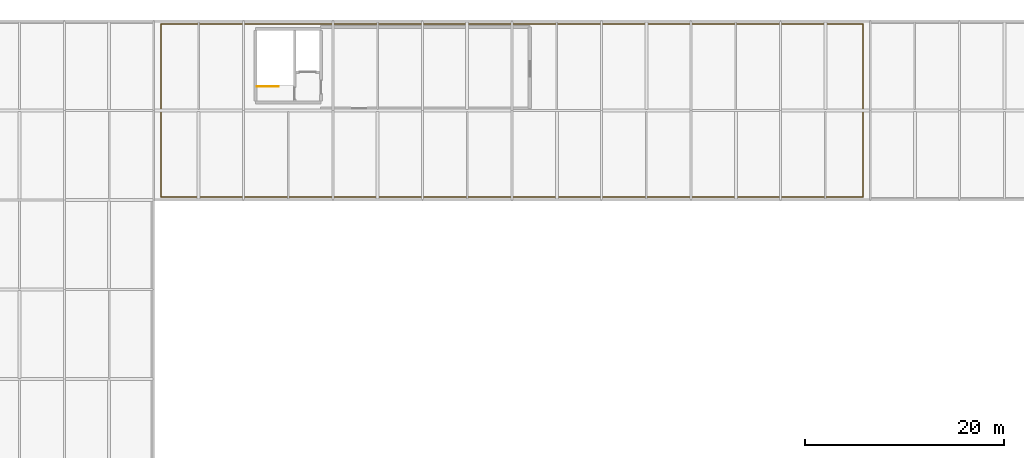
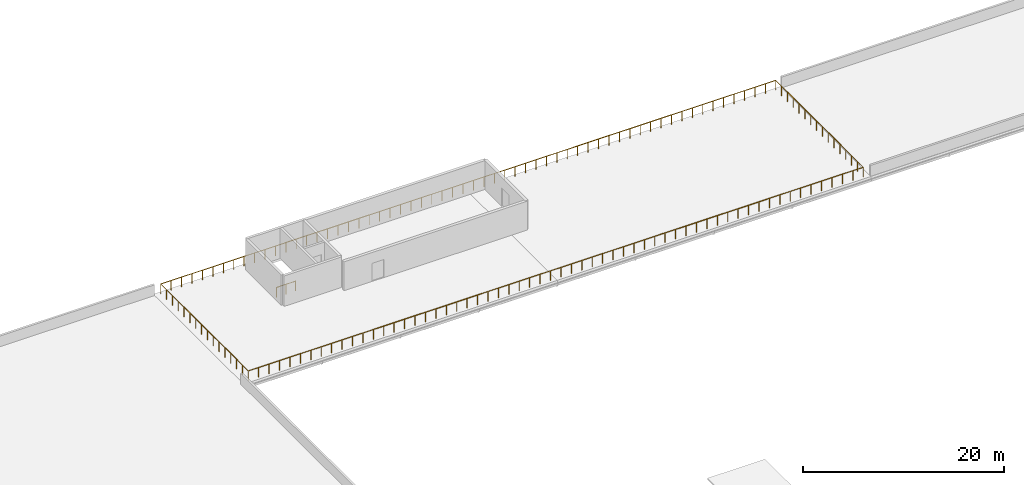
# One storey, part 18 of 18: 2 railings.
"""IFC4 building model written with IfcOpenShell, lengths in metres."""

from ifc_helpers import new_model, si_unit, direction, frame, origin, origin_2d, place, context, subcontext, project, spatial, circle, extrude, material, type_object, element, save


model = new_model("IFC4")

# Units and contexts
model_context = context("Model", 3, precision=1e-05, world=origin(), true_north=direction((0.0, 1.0)))
body_context = subcontext(model_context, "Body", "Model", "MODEL_VIEW")
ifc_project = project(units=[si_unit("LENGTHUNIT", "METRE"), si_unit("AREAUNIT", "SQUARE_METRE"), si_unit("VOLUMEUNIT", "CUBIC_METRE"), si_unit("PLANEANGLEUNIT", "RADIAN"), si_unit("MASSUNIT", "GRAM", prefix="KILO")], contexts=[model_context])

# Site, building, storey
site_placement = place(None, origin())
site = spatial("IfcSite", under=ifc_project, at=site_placement, CompositionType="ELEMENT")
building_placement = place(site_placement, origin())
building = spatial("IfcBuilding", under=site, at=building_placement, Name="Kildeholm Park Wholesale Market", CompositionType="ELEMENT")
storey_placement = place(building_placement, frame((0.0, 0.0, 13.5)))
storey = spatial("IfcBuildingStorey", under=building, at=storey_placement, Name="L03", CompositionType="ELEMENT", Elevation=13.5)

# Railings
ifc_material_1 = material(Name="Painted steel and laminated glass balustrade", Category="steel")
railing_type_1 = type_object("IfcRailingType", Name="Interior gallery and stairwell guard GR-IN1 1200 mm", PredefinedType="GUARDRAIL", material=ifc_material_1)
railing_1_placement = place(storey_placement, frame((46.360107421875, 164.429931640625, 0.0)))
element("IfcRailing", 1, at=railing_1_placement, inside=storey, type_object=railing_type_1, Name="Stair C02 upper floor well guard L03 RLG-0039", PredefinedType="GUARDRAIL", context=body_context, shape_type="SweptSolid", body=[
    extrude(circle(Radius=0.02392578125, at=origin_2d()), frame((0.0, 0.0, 1.17578125), z_axis=(1.0, 0.0, 0.0), x_axis=(0.0, 1.0, 0.0)), (0.0, 0.0, 1.0), 2.18994140625),
    extrude(circle(Radius=0.02099609375, at=origin_2d()), origin(), (0.0, 0.0, 1.0), 1.15185546875),
    extrude(circle(Radius=0.02099609375, at=origin_2d()), frame((1.094970703125, 0.0, 0.0)), (0.0, 0.0, 1.0), 1.15185546875),
    extrude(circle(Radius=0.02099609375, at=origin_2d()), frame((2.18994140625, 0.0, 0.0)), (0.0, 0.0, 1.0), 1.15185546875),
])
ifc_material_2 = material(Name="Painted galvanized steel and stainless-steel balustrade", Category="steel")
railing_type_2 = type_object("IfcRailingType", Name="Terrace and roof-garden balustrade GR-EX1 1200 mm", PredefinedType="GUARDRAIL", material=ifc_material_2)
railing_2_placement = place(storey_placement, frame((36.699951171875, 153.300048828125, 0.0)))
element("IfcRailing", 2, at=railing_2_placement, inside=storey, type_object=railing_type_2, Name="Cold-block L03 planted roof garden balustrade RLG-0003", PredefinedType="GUARDRAIL", context=body_context, shape_type="SweptSolid", body=[
    extrude(circle(Radius=0.02392578125, at=origin_2d()), frame((0.0, 0.0, 1.17578125), z_axis=(1.0, 0.0, 0.0), x_axis=(0.0, 1.0, 0.0)), (0.0, 0.0, 1.0), 70.60009765625),
    extrude(circle(Radius=0.02392578125, at=origin_2d()), frame((70.60009765625, 0.0, 1.17578125), z_axis=(0.0, 1.0, 0.0), x_axis=(-1.0, 0.0, 0.0)), (0.0, 0.0, 1.0), 17.39990234375),
    extrude(circle(Radius=0.02392578125, at=origin_2d()), frame((70.60009765625, 17.39990234375, 1.17578125), z_axis=(-1.0, 0.0, 0.0), x_axis=(0.0, -1.0, 0.0)), (0.0, 0.0, 1.0), 70.60009765625),
    extrude(circle(Radius=0.02392578125, at=origin_2d()), frame((0.0, 17.39990234375, 1.17578125), z_axis=(0.0, -1.0, 0.0), x_axis=(1.0, 0.0, 0.0)), (0.0, 0.0, 1.0), 17.39990234375),
    extrude(circle(Radius=0.02099609375, at=origin_2d()), origin(), (0.0, 0.0, 1.0), 1.15185546875),
    extrude(circle(Radius=0.02099609375, at=origin_2d()), frame((1.196533203125, 0.0, 0.0)), (0.0, 0.0, 1.0), 1.15185546875),
    extrude(circle(Radius=0.02099609375, at=origin_2d()), frame((2.393310546875, 0.0, 0.0)), (0.0, 0.0, 1.0), 1.15185546875),
    extrude(circle(Radius=0.02099609375, at=origin_2d()), frame((3.58984375, 0.0, 0.0)), (0.0, 0.0, 1.0), 1.15185546875),
    extrude(circle(Radius=0.02099609375, at=origin_2d()), frame((4.786376953125, 0.0, 0.0)), (0.0, 0.0, 1.0), 1.15185546875),
    extrude(circle(Radius=0.02099609375, at=origin_2d()), frame((5.983154296875, 0.0, 0.0)), (0.0, 0.0, 1.0), 1.15185546875),
    extrude(circle(Radius=0.02099609375, at=origin_2d()), frame((7.1796875, 0.0, 0.0)), (0.0, 0.0, 1.0), 1.15185546875),
    extrude(circle(Radius=0.02099609375, at=origin_2d()), frame((8.376220703125, 0.0, 0.0)), (0.0, 0.0, 1.0), 1.15185546875),
    extrude(circle(Radius=0.02099609375, at=origin_2d()), frame((9.572998046875, 0.0, 0.0)), (0.0, 0.0, 1.0), 1.15185546875),
    extrude(circle(Radius=0.02099609375, at=origin_2d()), frame((10.76953125, 0.0, 0.0)), (0.0, 0.0, 1.0), 1.15185546875),
    extrude(circle(Radius=0.02099609375, at=origin_2d()), frame((11.966064453125, 0.0, 0.0)), (0.0, 0.0, 1.0), 1.15185546875),
    extrude(circle(Radius=0.02099609375, at=origin_2d()), frame((13.162841796875, 0.0, 0.0)), (0.0, 0.0, 1.0), 1.15185546875),
    extrude(circle(Radius=0.02099609375, at=origin_2d()), frame((14.359375, 0.0, 0.0)), (0.0, 0.0, 1.0), 1.15185546875),
    extrude(circle(Radius=0.02099609375, at=origin_2d()), frame((15.555908203125, 0.0, 0.0)), (0.0, 0.0, 1.0), 1.15185546875),
    extrude(circle(Radius=0.02099609375, at=origin_2d()), frame((16.752685546875, 0.0, 0.0)), (0.0, 0.0, 1.0), 1.15185546875),
    extrude(circle(Radius=0.02099609375, at=origin_2d()), frame((17.94921875, 0.0, 0.0)), (0.0, 0.0, 1.0), 1.15185546875),
    extrude(circle(Radius=0.02099609375, at=origin_2d()), frame((19.145751953125, 0.0, 0.0)), (0.0, 0.0, 1.0), 1.15185546875),
    extrude(circle(Radius=0.02099609375, at=origin_2d()), frame((20.34228515625, 0.0, 0.0)), (0.0, 0.0, 1.0), 1.15185546875),
    extrude(circle(Radius=0.02099609375, at=origin_2d()), frame((21.5390625, 0.0, 0.0)), (0.0, 0.0, 1.0), 1.15185546875),
    extrude(circle(Radius=0.02099609375, at=origin_2d()), frame((22.735595703125, 0.0, 0.0)), (0.0, 0.0, 1.0), 1.15185546875),
    extrude(circle(Radius=0.02099609375, at=origin_2d()), frame((23.93212890625, 0.0, 0.0)), (0.0, 0.0, 1.0), 1.15185546875),
    extrude(circle(Radius=0.02099609375, at=origin_2d()), frame((25.12890625, 0.0, 0.0)), (0.0, 0.0, 1.0), 1.15185546875),
    extrude(circle(Radius=0.02099609375, at=origin_2d()), frame((26.325439453125, 0.0, 0.0)), (0.0, 0.0, 1.0), 1.15185546875),
    extrude(circle(Radius=0.02099609375, at=origin_2d()), frame((27.52197265625, 0.0, 0.0)), (0.0, 0.0, 1.0), 1.15185546875),
    extrude(circle(Radius=0.02099609375, at=origin_2d()), frame((28.71875, 0.0, 0.0)), (0.0, 0.0, 1.0), 1.15185546875),
    extrude(circle(Radius=0.02099609375, at=origin_2d()), frame((29.915283203125, 0.0, 0.0)), (0.0, 0.0, 1.0), 1.15185546875),
    extrude(circle(Radius=0.02099609375, at=origin_2d()), frame((31.11181640625, 0.0, 0.0)), (0.0, 0.0, 1.0), 1.15185546875),
    extrude(circle(Radius=0.02099609375, at=origin_2d()), frame((32.30859375, 0.0, 0.0)), (0.0, 0.0, 1.0), 1.15185546875),
    extrude(circle(Radius=0.02099609375, at=origin_2d()), frame((33.505126953125, 0.0, 0.0)), (0.0, 0.0, 1.0), 1.15185546875),
    extrude(circle(Radius=0.02099609375, at=origin_2d()), frame((34.70166015625, 0.0, 0.0)), (0.0, 0.0, 1.0), 1.15185546875),
    extrude(circle(Radius=0.02099609375, at=origin_2d()), frame((35.8984375, 0.0, 0.0)), (0.0, 0.0, 1.0), 1.15185546875),
    extrude(circle(Radius=0.02099609375, at=origin_2d()), frame((37.094970703125, 0.0, 0.0)), (0.0, 0.0, 1.0), 1.15185546875),
    extrude(circle(Radius=0.02099609375, at=origin_2d()), frame((38.29150390625, 0.0, 0.0)), (0.0, 0.0, 1.0), 1.15185546875),
    extrude(circle(Radius=0.02099609375, at=origin_2d()), frame((39.48828125, 0.0, 0.0)), (0.0, 0.0, 1.0), 1.15185546875),
    extrude(circle(Radius=0.02099609375, at=origin_2d()), frame((40.684814453125, 0.0, 0.0)), (0.0, 0.0, 1.0), 1.15185546875),
    extrude(circle(Radius=0.02099609375, at=origin_2d()), frame((41.88134765625, 0.0, 0.0)), (0.0, 0.0, 1.0), 1.15185546875),
    extrude(circle(Radius=0.02099609375, at=origin_2d()), frame((43.078125, 0.0, 0.0)), (0.0, 0.0, 1.0), 1.15185546875),
    extrude(circle(Radius=0.02099609375, at=origin_2d()), frame((44.274658203125, 0.0, 0.0)), (0.0, 0.0, 1.0), 1.15185546875),
    extrude(circle(Radius=0.02099609375, at=origin_2d()), frame((45.47119140625, 0.0, 0.0)), (0.0, 0.0, 1.0), 1.15185546875),
    extrude(circle(Radius=0.02099609375, at=origin_2d()), frame((46.66796875, 0.0, 0.0)), (0.0, 0.0, 1.0), 1.15185546875),
    extrude(circle(Radius=0.02099609375, at=origin_2d()), frame((47.864501953125, 0.0, 0.0)), (0.0, 0.0, 1.0), 1.15185546875),
    extrude(circle(Radius=0.02099609375, at=origin_2d()), frame((49.06103515625, 0.0, 0.0)), (0.0, 0.0, 1.0), 1.15185546875),
    extrude(circle(Radius=0.02099609375, at=origin_2d()), frame((50.2578125, 0.0, 0.0)), (0.0, 0.0, 1.0), 1.15185546875),
    extrude(circle(Radius=0.02099609375, at=origin_2d()), frame((51.454345703125, 0.0, 0.0)), (0.0, 0.0, 1.0), 1.15185546875),
    extrude(circle(Radius=0.02099609375, at=origin_2d()), frame((52.65087890625, 0.0, 0.0)), (0.0, 0.0, 1.0), 1.15185546875),
    extrude(circle(Radius=0.02099609375, at=origin_2d()), frame((53.847412109375, 0.0, 0.0)), (0.0, 0.0, 1.0), 1.15185546875),
    extrude(circle(Radius=0.02099609375, at=origin_2d()), frame((55.044189453125, 0.0, 0.0)), (0.0, 0.0, 1.0), 1.15185546875),
    extrude(circle(Radius=0.02099609375, at=origin_2d()), frame((56.24072265625, 0.0, 0.0)), (0.0, 0.0, 1.0), 1.15185546875),
    extrude(circle(Radius=0.02099609375, at=origin_2d()), frame((57.437255859375, 0.0, 0.0)), (0.0, 0.0, 1.0), 1.15185546875),
    extrude(circle(Radius=0.02099609375, at=origin_2d()), frame((58.634033203125, 0.0, 0.0)), (0.0, 0.0, 1.0), 1.15185546875),
    extrude(circle(Radius=0.02099609375, at=origin_2d()), frame((59.83056640625, 0.0, 0.0)), (0.0, 0.0, 1.0), 1.15185546875),
    extrude(circle(Radius=0.02099609375, at=origin_2d()), frame((61.027099609375, 0.0, 0.0)), (0.0, 0.0, 1.0), 1.15185546875),
    extrude(circle(Radius=0.02099609375, at=origin_2d()), frame((62.223876953125, 0.0, 0.0)), (0.0, 0.0, 1.0), 1.15185546875),
    extrude(circle(Radius=0.02099609375, at=origin_2d()), frame((63.42041015625, 0.0, 0.0)), (0.0, 0.0, 1.0), 1.15185546875),
    extrude(circle(Radius=0.02099609375, at=origin_2d()), frame((64.616943359375, 0.0, 0.0)), (0.0, 0.0, 1.0), 1.15185546875),
    extrude(circle(Radius=0.02099609375, at=origin_2d()), frame((65.813720703125, 0.0, 0.0)), (0.0, 0.0, 1.0), 1.15185546875),
    extrude(circle(Radius=0.02099609375, at=origin_2d()), frame((67.01025390625, 0.0, 0.0)), (0.0, 0.0, 1.0), 1.15185546875),
    extrude(circle(Radius=0.02099609375, at=origin_2d()), frame((68.206787109375, 0.0, 0.0)), (0.0, 0.0, 1.0), 1.15185546875),
    extrude(circle(Radius=0.02099609375, at=origin_2d()), frame((69.403564453125, 0.0, 0.0)), (0.0, 0.0, 1.0), 1.15185546875),
    extrude(circle(Radius=0.02099609375, at=origin_2d()), frame((70.60009765625, 0.0, 0.0)), (0.0, 0.0, 1.0), 1.15185546875),
    extrude(circle(Radius=0.02099609375, at=origin_2d()), frame((70.60009765625, 1.159912109375, 0.0)), (0.0, 0.0, 1.0), 1.15185546875),
    extrude(circle(Radius=0.02099609375, at=origin_2d()), frame((70.60009765625, 2.320068359375, 0.0)), (0.0, 0.0, 1.0), 1.15185546875),
    extrude(circle(Radius=0.02099609375, at=origin_2d()), frame((70.60009765625, 3.47998046875, 0.0)), (0.0, 0.0, 1.0), 1.15185546875),
    extrude(circle(Radius=0.02099609375, at=origin_2d()), frame((70.60009765625, 4.639892578125, 0.0)), (0.0, 0.0, 1.0), 1.15185546875),
    extrude(circle(Radius=0.02099609375, at=origin_2d()), frame((70.60009765625, 5.800048828125, 0.0)), (0.0, 0.0, 1.0), 1.15185546875),
    extrude(circle(Radius=0.02099609375, at=origin_2d()), frame((70.60009765625, 6.9599609375, 0.0)), (0.0, 0.0, 1.0), 1.15185546875),
    extrude(circle(Radius=0.02099609375, at=origin_2d()), frame((70.60009765625, 8.119873046875, 0.0)), (0.0, 0.0, 1.0), 1.15185546875),
    extrude(circle(Radius=0.02099609375, at=origin_2d()), frame((70.60009765625, 9.280029296875, 0.0)), (0.0, 0.0, 1.0), 1.15185546875),
    extrude(circle(Radius=0.02099609375, at=origin_2d()), frame((70.60009765625, 10.43994140625, 0.0)), (0.0, 0.0, 1.0), 1.15185546875),
    extrude(circle(Radius=0.02099609375, at=origin_2d()), frame((70.60009765625, 11.599853515625, 0.0)), (0.0, 0.0, 1.0), 1.15185546875),
    extrude(circle(Radius=0.02099609375, at=origin_2d()), frame((70.60009765625, 12.760009765625, 0.0)), (0.0, 0.0, 1.0), 1.15185546875),
    extrude(circle(Radius=0.02099609375, at=origin_2d()), frame((70.60009765625, 13.919921875, 0.0)), (0.0, 0.0, 1.0), 1.15185546875),
    extrude(circle(Radius=0.02099609375, at=origin_2d()), frame((70.60009765625, 15.079833984375, 0.0)), (0.0, 0.0, 1.0), 1.15185546875),
    extrude(circle(Radius=0.02099609375, at=origin_2d()), frame((70.60009765625, 16.239990234375, 0.0)), (0.0, 0.0, 1.0), 1.15185546875),
    extrude(circle(Radius=0.02099609375, at=origin_2d()), frame((70.60009765625, 17.39990234375, 0.0)), (0.0, 0.0, 1.0), 1.15185546875),
    extrude(circle(Radius=0.02099609375, at=origin_2d()), frame((69.403564453125, 17.39990234375, 0.0)), (0.0, 0.0, 1.0), 1.15185546875),
    extrude(circle(Radius=0.02099609375, at=origin_2d()), frame((68.206787109375, 17.39990234375, 0.0)), (0.0, 0.0, 1.0), 1.15185546875),
    extrude(circle(Radius=0.02099609375, at=origin_2d()), frame((67.01025390625, 17.39990234375, 0.0)), (0.0, 0.0, 1.0), 1.15185546875),
    extrude(circle(Radius=0.02099609375, at=origin_2d()), frame((65.813720703125, 17.39990234375, 0.0)), (0.0, 0.0, 1.0), 1.15185546875),
    extrude(circle(Radius=0.02099609375, at=origin_2d()), frame((64.616943359375, 17.39990234375, 0.0)), (0.0, 0.0, 1.0), 1.15185546875),
    extrude(circle(Radius=0.02099609375, at=origin_2d()), frame((63.42041015625, 17.39990234375, 0.0)), (0.0, 0.0, 1.0), 1.15185546875),
    extrude(circle(Radius=0.02099609375, at=origin_2d()), frame((62.223876953125, 17.39990234375, 0.0)), (0.0, 0.0, 1.0), 1.15185546875),
    extrude(circle(Radius=0.02099609375, at=origin_2d()), frame((61.027099609375, 17.39990234375, 0.0)), (0.0, 0.0, 1.0), 1.15185546875),
    extrude(circle(Radius=0.02099609375, at=origin_2d()), frame((59.83056640625, 17.39990234375, 0.0)), (0.0, 0.0, 1.0), 1.15185546875),
    extrude(circle(Radius=0.02099609375, at=origin_2d()), frame((58.634033203125, 17.39990234375, 0.0)), (0.0, 0.0, 1.0), 1.15185546875),
    extrude(circle(Radius=0.02099609375, at=origin_2d()), frame((57.437255859375, 17.39990234375, 0.0)), (0.0, 0.0, 1.0), 1.15185546875),
    extrude(circle(Radius=0.02099609375, at=origin_2d()), frame((56.24072265625, 17.39990234375, 0.0)), (0.0, 0.0, 1.0), 1.15185546875),
    extrude(circle(Radius=0.02099609375, at=origin_2d()), frame((55.044189453125, 17.39990234375, 0.0)), (0.0, 0.0, 1.0), 1.15185546875),
    extrude(circle(Radius=0.02099609375, at=origin_2d()), frame((53.847412109375, 17.39990234375, 0.0)), (0.0, 0.0, 1.0), 1.15185546875),
    extrude(circle(Radius=0.02099609375, at=origin_2d()), frame((52.65087890625, 17.39990234375, 0.0)), (0.0, 0.0, 1.0), 1.15185546875),
    extrude(circle(Radius=0.02099609375, at=origin_2d()), frame((51.454345703125, 17.39990234375, 0.0)), (0.0, 0.0, 1.0), 1.15185546875),
    extrude(circle(Radius=0.02099609375, at=origin_2d()), frame((50.2578125, 17.39990234375, 0.0)), (0.0, 0.0, 1.0), 1.15185546875),
    extrude(circle(Radius=0.02099609375, at=origin_2d()), frame((49.06103515625, 17.39990234375, 0.0)), (0.0, 0.0, 1.0), 1.15185546875),
    extrude(circle(Radius=0.02099609375, at=origin_2d()), frame((47.864501953125, 17.39990234375, 0.0)), (0.0, 0.0, 1.0), 1.15185546875),
    extrude(circle(Radius=0.02099609375, at=origin_2d()), frame((46.66796875, 17.39990234375, 0.0)), (0.0, 0.0, 1.0), 1.15185546875),
    extrude(circle(Radius=0.02099609375, at=origin_2d()), frame((45.47119140625, 17.39990234375, 0.0)), (0.0, 0.0, 1.0), 1.15185546875),
    extrude(circle(Radius=0.02099609375, at=origin_2d()), frame((44.274658203125, 17.39990234375, 0.0)), (0.0, 0.0, 1.0), 1.15185546875),
    extrude(circle(Radius=0.02099609375, at=origin_2d()), frame((43.078125, 17.39990234375, 0.0)), (0.0, 0.0, 1.0), 1.15185546875),
    extrude(circle(Radius=0.02099609375, at=origin_2d()), frame((41.88134765625, 17.39990234375, 0.0)), (0.0, 0.0, 1.0), 1.15185546875),
    extrude(circle(Radius=0.02099609375, at=origin_2d()), frame((40.684814453125, 17.39990234375, 0.0)), (0.0, 0.0, 1.0), 1.15185546875),
    extrude(circle(Radius=0.02099609375, at=origin_2d()), frame((39.48828125, 17.39990234375, 0.0)), (0.0, 0.0, 1.0), 1.15185546875),
    extrude(circle(Radius=0.02099609375, at=origin_2d()), frame((38.29150390625, 17.39990234375, 0.0)), (0.0, 0.0, 1.0), 1.15185546875),
    extrude(circle(Radius=0.02099609375, at=origin_2d()), frame((37.094970703125, 17.39990234375, 0.0)), (0.0, 0.0, 1.0), 1.15185546875),
    extrude(circle(Radius=0.02099609375, at=origin_2d()), frame((35.8984375, 17.39990234375, 0.0)), (0.0, 0.0, 1.0), 1.15185546875),
    extrude(circle(Radius=0.02099609375, at=origin_2d()), frame((34.70166015625, 17.39990234375, 0.0)), (0.0, 0.0, 1.0), 1.15185546875),
    extrude(circle(Radius=0.02099609375, at=origin_2d()), frame((33.505126953125, 17.39990234375, 0.0)), (0.0, 0.0, 1.0), 1.15185546875),
    extrude(circle(Radius=0.02099609375, at=origin_2d()), frame((32.30859375, 17.39990234375, 0.0)), (0.0, 0.0, 1.0), 1.15185546875),
    extrude(circle(Radius=0.02099609375, at=origin_2d()), frame((31.11181640625, 17.39990234375, 0.0)), (0.0, 0.0, 1.0), 1.15185546875),
    extrude(circle(Radius=0.02099609375, at=origin_2d()), frame((29.915283203125, 17.39990234375, 0.0)), (0.0, 0.0, 1.0), 1.15185546875),
    extrude(circle(Radius=0.02099609375, at=origin_2d()), frame((28.71875, 17.39990234375, 0.0)), (0.0, 0.0, 1.0), 1.15185546875),
    extrude(circle(Radius=0.02099609375, at=origin_2d()), frame((27.52197265625, 17.39990234375, 0.0)), (0.0, 0.0, 1.0), 1.15185546875),
    extrude(circle(Radius=0.02099609375, at=origin_2d()), frame((26.325439453125, 17.39990234375, 0.0)), (0.0, 0.0, 1.0), 1.15185546875),
    extrude(circle(Radius=0.02099609375, at=origin_2d()), frame((25.12890625, 17.39990234375, 0.0)), (0.0, 0.0, 1.0), 1.15185546875),
    extrude(circle(Radius=0.02099609375, at=origin_2d()), frame((23.93212890625, 17.39990234375, 0.0)), (0.0, 0.0, 1.0), 1.15185546875),
    extrude(circle(Radius=0.02099609375, at=origin_2d()), frame((22.735595703125, 17.39990234375, 0.0)), (0.0, 0.0, 1.0), 1.15185546875),
    extrude(circle(Radius=0.02099609375, at=origin_2d()), frame((21.5390625, 17.39990234375, 0.0)), (0.0, 0.0, 1.0), 1.15185546875),
    extrude(circle(Radius=0.02099609375, at=origin_2d()), frame((20.34228515625, 17.39990234375, 0.0)), (0.0, 0.0, 1.0), 1.15185546875),
    extrude(circle(Radius=0.02099609375, at=origin_2d()), frame((19.145751953125, 17.39990234375, 0.0)), (0.0, 0.0, 1.0), 1.15185546875),
    extrude(circle(Radius=0.02099609375, at=origin_2d()), frame((17.94921875, 17.39990234375, 0.0)), (0.0, 0.0, 1.0), 1.15185546875),
    extrude(circle(Radius=0.02099609375, at=origin_2d()), frame((16.752685546875, 17.39990234375, 0.0)), (0.0, 0.0, 1.0), 1.15185546875),
    extrude(circle(Radius=0.02099609375, at=origin_2d()), frame((15.555908203125, 17.39990234375, 0.0)), (0.0, 0.0, 1.0), 1.15185546875),
    extrude(circle(Radius=0.02099609375, at=origin_2d()), frame((14.359375, 17.39990234375, 0.0)), (0.0, 0.0, 1.0), 1.15185546875),
    extrude(circle(Radius=0.02099609375, at=origin_2d()), frame((13.162841796875, 17.39990234375, 0.0)), (0.0, 0.0, 1.0), 1.15185546875),
    extrude(circle(Radius=0.02099609375, at=origin_2d()), frame((11.966064453125, 17.39990234375, 0.0)), (0.0, 0.0, 1.0), 1.15185546875),
    extrude(circle(Radius=0.02099609375, at=origin_2d()), frame((10.76953125, 17.39990234375, 0.0)), (0.0, 0.0, 1.0), 1.15185546875),
    extrude(circle(Radius=0.02099609375, at=origin_2d()), frame((9.572998046875, 17.39990234375, 0.0)), (0.0, 0.0, 1.0), 1.15185546875),
    extrude(circle(Radius=0.02099609375, at=origin_2d()), frame((8.376220703125, 17.39990234375, 0.0)), (0.0, 0.0, 1.0), 1.15185546875),
    extrude(circle(Radius=0.02099609375, at=origin_2d()), frame((7.1796875, 17.39990234375, 0.0)), (0.0, 0.0, 1.0), 1.15185546875),
    extrude(circle(Radius=0.02099609375, at=origin_2d()), frame((5.983154296875, 17.39990234375, 0.0)), (0.0, 0.0, 1.0), 1.15185546875),
    extrude(circle(Radius=0.02099609375, at=origin_2d()), frame((4.786376953125, 17.39990234375, 0.0)), (0.0, 0.0, 1.0), 1.15185546875),
    extrude(circle(Radius=0.02099609375, at=origin_2d()), frame((3.58984375, 17.39990234375, 0.0)), (0.0, 0.0, 1.0), 1.15185546875),
    extrude(circle(Radius=0.02099609375, at=origin_2d()), frame((2.393310546875, 17.39990234375, 0.0)), (0.0, 0.0, 1.0), 1.15185546875),
    extrude(circle(Radius=0.02099609375, at=origin_2d()), frame((1.196533203125, 17.39990234375, 0.0)), (0.0, 0.0, 1.0), 1.15185546875),
    extrude(circle(Radius=0.02099609375, at=origin_2d()), frame((0.0, 17.39990234375, 0.0)), (0.0, 0.0, 1.0), 1.15185546875),
    extrude(circle(Radius=0.02099609375, at=origin_2d()), frame((0.0, 16.239990234375, 0.0)), (0.0, 0.0, 1.0), 1.15185546875),
    extrude(circle(Radius=0.02099609375, at=origin_2d()), frame((0.0, 15.079833984375, 0.0)), (0.0, 0.0, 1.0), 1.15185546875),
    extrude(circle(Radius=0.02099609375, at=origin_2d()), frame((0.0, 13.919921875, 0.0)), (0.0, 0.0, 1.0), 1.15185546875),
    extrude(circle(Radius=0.02099609375, at=origin_2d()), frame((0.0, 12.760009765625, 0.0)), (0.0, 0.0, 1.0), 1.15185546875),
    extrude(circle(Radius=0.02099609375, at=origin_2d()), frame((0.0, 11.599853515625, 0.0)), (0.0, 0.0, 1.0), 1.15185546875),
    extrude(circle(Radius=0.02099609375, at=origin_2d()), frame((0.0, 10.43994140625, 0.0)), (0.0, 0.0, 1.0), 1.15185546875),
    extrude(circle(Radius=0.02099609375, at=origin_2d()), frame((0.0, 9.280029296875, 0.0)), (0.0, 0.0, 1.0), 1.15185546875),
    extrude(circle(Radius=0.02099609375, at=origin_2d()), frame((0.0, 8.119873046875, 0.0)), (0.0, 0.0, 1.0), 1.15185546875),
    extrude(circle(Radius=0.02099609375, at=origin_2d()), frame((0.0, 6.9599609375, 0.0)), (0.0, 0.0, 1.0), 1.15185546875),
    extrude(circle(Radius=0.02099609375, at=origin_2d()), frame((0.0, 5.800048828125, 0.0)), (0.0, 0.0, 1.0), 1.15185546875),
    extrude(circle(Radius=0.02099609375, at=origin_2d()), frame((0.0, 4.639892578125, 0.0)), (0.0, 0.0, 1.0), 1.15185546875),
    extrude(circle(Radius=0.02099609375, at=origin_2d()), frame((0.0, 3.47998046875, 0.0)), (0.0, 0.0, 1.0), 1.15185546875),
    extrude(circle(Radius=0.02099609375, at=origin_2d()), frame((0.0, 2.320068359375, 0.0)), (0.0, 0.0, 1.0), 1.15185546875),
    extrude(circle(Radius=0.02099609375, at=origin_2d()), frame((0.0, 1.159912109375, 0.0)), (0.0, 0.0, 1.0), 1.15185546875),
])

save(model, "model.ifc")
